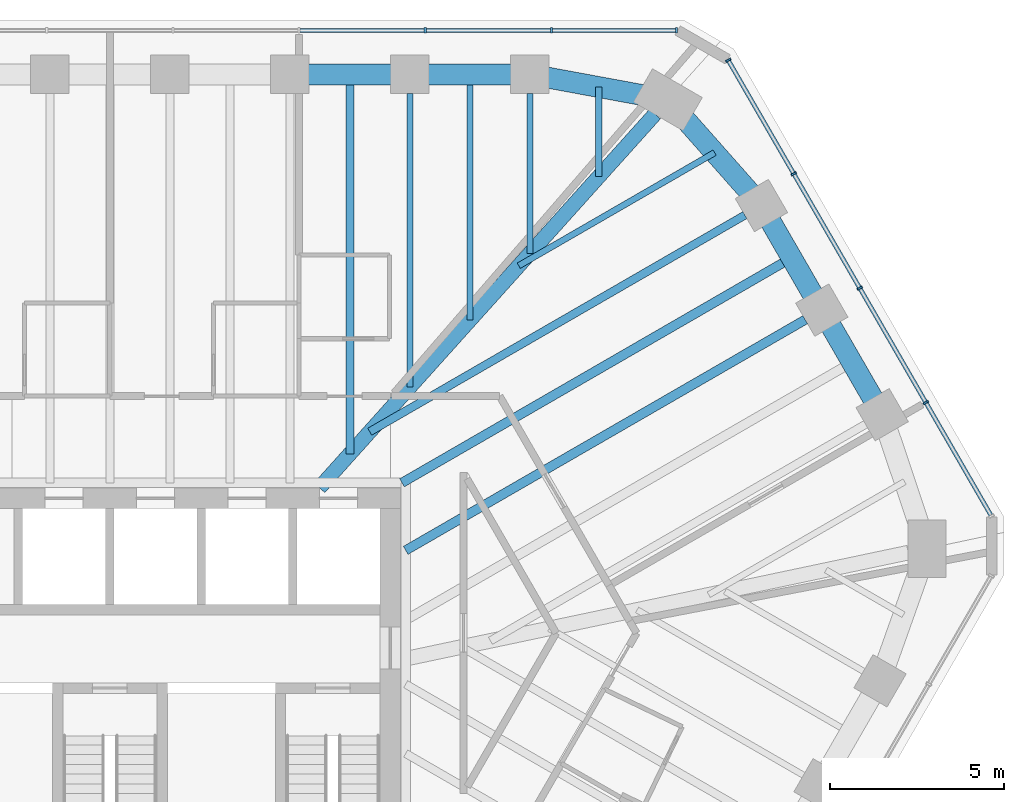
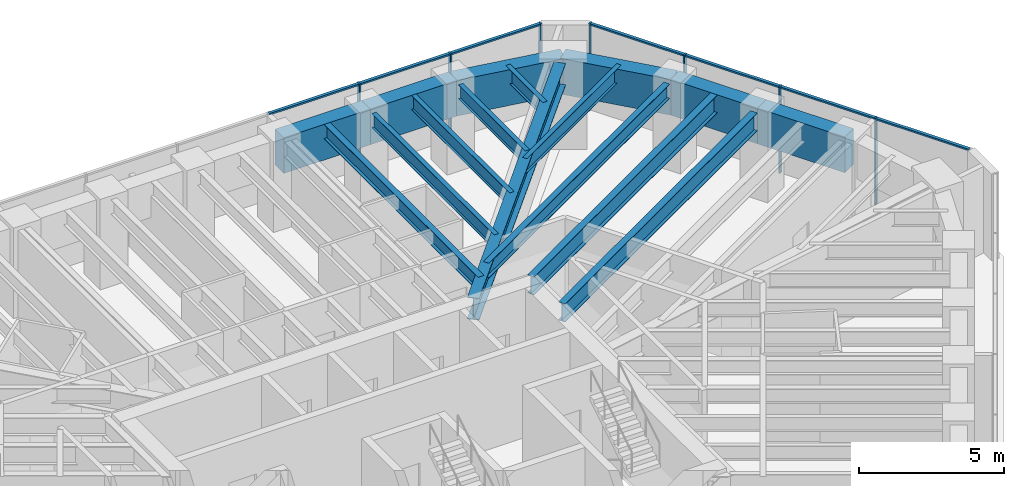
# One storey, part 7 of 14: 16 beams, 14 members, 2 elements without a shape of their own.
"""IFC4 building model written with IfcOpenShell, lengths in metres."""

from ifc_helpers import new_model, si_unit, direction, frame, origin, origin_2d, place, context, subcontext, project, spatial, rectangle, i_section, extrude, material, material_profile, profile_set, type_object, element, aggregate, save


model = new_model("IFC4")

# Units and contexts
model_context = context("Model", 3, precision=1e-05, world=origin(), true_north=direction((0.0, 1.0)))
body_context = subcontext(model_context, "Body", "Model", "MODEL_VIEW")
ifc_project = project(units=[si_unit("LENGTHUNIT", "METRE"), si_unit("AREAUNIT", "SQUARE_METRE"), si_unit("VOLUMEUNIT", "CUBIC_METRE"), si_unit("PLANEANGLEUNIT", "RADIAN"), si_unit("MASSUNIT", "GRAM", prefix="KILO")], contexts=[model_context])

# Site, building, storey
site_placement = place(None, origin())
site = spatial("IfcSite", under=ifc_project, at=site_placement, CompositionType="ELEMENT")
building_placement = place(site_placement, origin())
building = spatial("IfcBuilding", under=site, at=building_placement, Name="Sandreach Pilgrim Tower", CompositionType="ELEMENT")
storey_placement = place(building_placement, frame((0.0, 0.0, 291.199951171875)))
storey = spatial("IfcBuildingStorey", under=building, at=storey_placement, Name="L73", CompositionType="ELEMENT", Elevation=291.199951171875)

# Curtain wall, members
ifc_material_1 = material(Name="Aluminium framed curtain wall", Category="aluminium")
curtain_wall_type = type_object("IfcCurtainWallType", Name="Suite tower curtain wall", PredefinedType="NOTDEFINED", material=ifc_material_1)
curtain_wall_1_placement = place(storey_placement, origin())
curtain_wall_1 = element("IfcCurtainWall", 1, at=curtain_wall_1_placement, inside=storey, type_object=curtain_wall_type, Name="CW-4 L73 N", PredefinedType="NOTDEFINED")
ifc_material_2 = material(Name="Aluminium extrusion", Category="aluminium")
ifc_material_profile_1 = material_profile(ifc_material_2, rectangle(XDim=0.06005859375, YDim=0.159912109375, at=origin_2d()), Name="CW-4M 60X160")
ifc_profile_set_1 = profile_set([ifc_material_profile_1], Name="Aluminium extrusion")
member_type_1 = type_object("IfcMemberType", Name="CW-4 mullion", PredefinedType="MULLION", material=ifc_profile_set_1)
member_1_placement = place(storey_placement, frame((9.0546875, 19.826416015625, 0.0), z_axis=(0.0, 0.0, 1.0), x_axis=(1.0, 0.0, 0.0)))
member_1 = element("IfcMember", 2, at=member_1_placement, type_object=member_type_1, Name="CW-4 mullion 8", PredefinedType="MULLION", context=body_context, shape_type="SweptSolid", body=[
    extrude(rectangle(XDim=0.06005859375, YDim=0.159912109375, at=origin_2d()), origin(), (0.0, 0.0, 1.0), 3.64013671875),
])
member_2_placement = place(storey_placement, frame((12.676513671875, 19.826416015625, 0.0), z_axis=(0.0, 0.0, 1.0), x_axis=(1.0, 0.0, 0.0)))
member_2 = element("IfcMember", 3, at=member_2_placement, type_object=member_type_1, Name="CW-4 mullion 9", PredefinedType="MULLION", context=body_context, shape_type="SweptSolid", body=[
    extrude(rectangle(XDim=0.06005859375, YDim=0.159912109375, at=origin_2d()), origin(), (0.0, 0.0, 1.0), 3.64013671875),
])
member_3_placement = place(storey_placement, frame((16.268310546875, 19.826416015625, 0.0), z_axis=(0.0, 0.0, 1.0), x_axis=(1.0, 0.0, 0.0)))
member_3 = element("IfcMember", 4, at=member_3_placement, type_object=member_type_1, Name="CW-4 mullion 10", PredefinedType="MULLION", context=body_context, shape_type="SweptSolid", body=[
    extrude(rectangle(XDim=0.06005859375, YDim=0.159912109375, at=origin_2d()), origin(), (0.0, 0.0, 1.0), 3.64013671875),
])

curtain_wall_2_placement = place(storey_placement, origin())
curtain_wall_2 = element("IfcCurtainWall", 5, at=curtain_wall_2_placement, inside=storey, type_object=curtain_wall_type, Name="CW-4 L73 NE", PredefinedType="NOTDEFINED")
member_4_placement = place(storey_placement, frame((17.7509765625, 18.970458984375, 0.0), z_axis=(0.0, 0.0, 1.0), x_axis=(0.5, -0.866025403784, 0.0)))
member_4 = element("IfcMember", 6, at=member_4_placement, type_object=member_type_1, Name="CW-4 mullion 1", PredefinedType="MULLION", context=body_context, shape_type="SweptSolid", body=[
    extrude(rectangle(XDim=0.06005859375, YDim=0.159912109375, at=origin_2d()), origin(), (0.0, 0.0, 1.0), 3.64013671875),
])
member_5_placement = place(storey_placement, frame((19.6318359375, 15.712646484375, 0.0), z_axis=(0.0, 0.0, 1.0), x_axis=(0.5, -0.866025403784, 0.0)))
member_5 = element("IfcMember", 7, at=member_5_placement, type_object=member_type_1, Name="CW-4 mullion 2", PredefinedType="MULLION", context=body_context, shape_type="SweptSolid", body=[
    extrude(rectangle(XDim=0.06005859375, YDim=0.159912109375, at=origin_2d()), origin(), (0.0, 0.0, 1.0), 3.64013671875),
])
member_6_placement = place(storey_placement, frame((21.527587890625, 12.428955078125, 0.0), z_axis=(0.0, 0.0, 1.0), x_axis=(0.5, -0.866025403784, 0.0)))
member_6 = element("IfcMember", 8, at=member_6_placement, type_object=member_type_1, Name="CW-4 mullion 3", PredefinedType="MULLION", context=body_context, shape_type="SweptSolid", body=[
    extrude(rectangle(XDim=0.06005859375, YDim=0.159912109375, at=origin_2d()), origin(), (0.0, 0.0, 1.0), 3.64013671875),
])
member_7_placement = place(storey_placement, frame((23.423583984375, 9.145263671875, 0.0), z_axis=(0.0, 0.0, 1.0), x_axis=(0.5, -0.866025403784, 0.0)))
member_7 = element("IfcMember", 9, at=member_7_placement, type_object=member_type_1, Name="CW-4 mullion 4", PredefinedType="MULLION", context=body_context, shape_type="SweptSolid", body=[
    extrude(rectangle(XDim=0.06005859375, YDim=0.159912109375, at=origin_2d()), origin(), (0.0, 0.0, 1.0), 3.64013671875),
])

# Member
ifc_material_3 = material(Name="Aluminium extrusion", Category="aluminium")
ifc_material_profile_2 = material_profile(ifc_material_3, rectangle(XDim=0.1201171875, YDim=0.070068359375, at=origin_2d()), Name="CW-4T 120X70")
ifc_profile_set_2 = profile_set([ifc_material_profile_2], Name="Aluminium extrusion")
member_type_2 = type_object("IfcMemberType", Name="CW-4 transom", PredefinedType="USERDEFINED", material=ifc_profile_set_2)
member_8_placement = place(storey_placement, frame((5.462890625, 19.826416015625, 3.60498046875), z_axis=(1.0, 0.0, 0.0), x_axis=(0.0, 1.0, 0.0)))
member_8 = element("IfcMember", 10, at=member_8_placement, type_object=member_type_2, Name="CW-4 head transom 7", ObjectType="TRANSOM", PredefinedType="USERDEFINED", context=body_context, shape_type="SweptSolid", body=[
    extrude(rectangle(XDim=0.1201171875, YDim=0.070068359375, at=origin_2d()), origin(), (0.0, 0.0, 1.0), 3.561767578125),
])

member_9_placement = place(storey_placement, frame((9.084716796875, 19.826416015625, 3.60498046875), z_axis=(1.0, 0.0, 0.0), x_axis=(0.0, 1.0, 0.0)))
member_9 = element("IfcMember", 11, at=member_9_placement, type_object=member_type_2, Name="CW-4 head transom 8", ObjectType="TRANSOM", PredefinedType="USERDEFINED", context=body_context, shape_type="SweptSolid", body=[
    extrude(rectangle(XDim=0.1201171875, YDim=0.070068359375, at=origin_2d()), origin(), (0.0, 0.0, 1.0), 3.561767578125),
])

member_10_placement = place(storey_placement, frame((12.70654296875, 19.826416015625, 3.60498046875), z_axis=(1.0, 0.0, 0.0), x_axis=(0.0, 1.0, 0.0)))
member_10 = element("IfcMember", 12, at=member_10_placement, type_object=member_type_2, Name="CW-4 head transom 9", ObjectType="TRANSOM", PredefinedType="USERDEFINED", context=body_context, shape_type="SweptSolid", body=[
    extrude(rectangle(XDim=0.1201171875, YDim=0.070068359375, at=origin_2d()), origin(), (0.0, 0.0, 1.0), 3.53173828125),
])

aggregate(curtain_wall_1, [member_1, member_2, member_3, member_8, member_9, member_10])

member_11_placement = place(storey_placement, frame((17.76611328125, 18.944580078125, 3.60498046875), z_axis=(0.499990780478, -0.866030726613, 0.0), x_axis=(0.866030726613, 0.499990780478, 0.0)))
member_11 = element("IfcMember", 13, at=member_11_placement, type_object=member_type_2, Name="CW-4 head transom 1", ObjectType="TRANSOM", PredefinedType="USERDEFINED", context=body_context, shape_type="SweptSolid", body=[
    extrude(rectangle(XDim=0.1201171875, YDim=0.070068359375, at=origin_2d()), origin(), (0.0, 0.0, 1.0), 3.70166015625),
])

member_12_placement = place(storey_placement, frame((19.646728515625, 15.686767578125, 3.60498046875), z_axis=(0.500030151002, -0.866007995396, 0.0), x_axis=(0.866007995396, 0.500030151002, 0.0)))
member_12 = element("IfcMember", 14, at=member_12_placement, type_object=member_type_2, Name="CW-4 head transom 2", ObjectType="TRANSOM", PredefinedType="USERDEFINED", context=body_context, shape_type="SweptSolid", body=[
    extrude(rectangle(XDim=0.1201171875, YDim=0.070068359375, at=origin_2d()), origin(), (0.0, 0.0, 1.0), 3.731689453125),
])

member_13_placement = place(storey_placement, frame((21.542724609375, 12.403076171875, 3.60498046875), z_axis=(0.499981083104, -0.866036325184, 0.0), x_axis=(0.866036325184, 0.499981083104, 0.0)))
member_13 = element("IfcMember", 15, at=member_13_placement, type_object=member_type_2, Name="CW-4 head transom 3", ObjectType="TRANSOM", PredefinedType="USERDEFINED", context=body_context, shape_type="SweptSolid", body=[
    extrude(rectangle(XDim=0.1201171875, YDim=0.070068359375, at=origin_2d()), origin(), (0.0, 0.0, 1.0), 3.731689453125),
])

member_14_placement = place(storey_placement, frame((23.4384765625, 9.119384765625, 3.60498046875), z_axis=(0.499990780478, -0.866030726613, 0.0), x_axis=(0.866030726613, 0.499990780478, 0.0)))
member_14 = element("IfcMember", 16, at=member_14_placement, type_object=member_type_2, Name="CW-4 head transom 4", ObjectType="TRANSOM", PredefinedType="USERDEFINED", context=body_context, shape_type="SweptSolid", body=[
    extrude(rectangle(XDim=0.1201171875, YDim=0.070068359375, at=origin_2d()), origin(), (0.0, 0.0, 1.0), 3.70166015625),
])

aggregate(curtain_wall_2, [member_4, member_5, member_6, member_7, member_11, member_12, member_13, member_14])

# Beams
ifc_material_4 = material(Name="Steel ASTM A992 Grade 50", Category="steel")
ifc_material_profile_3 = material_profile(ifc_material_4, i_section(OverallWidth=0.419189453125, OverallDepth=0.927001953125, WebThickness=0.019287109375, FlangeThickness=0.031982421875, at=origin_2d()), Name="W36X231")
ifc_profile_set_3 = profile_set([ifc_material_profile_3], Name="Steel ASTM A992 Grade 50")
beam_type_1 = type_object("IfcBeamType", Name="Corner girder W36X231", PredefinedType="BEAM", material=ifc_profile_set_3)
beam_1_placement = place(storey_placement, frame((15.649169921875, 17.427978515625, 3.176513671875), z_axis=(-0.668114851597, -0.74405815974, 0.0), x_axis=(0.74405815974, -0.668114851597, 0.0)))
element("IfcBeam", 17, at=beam_1_placement, inside=storey, type_object=beam_type_1, Name="BM L73 CG09", PredefinedType="BEAM", context=body_context, shape_type="SweptSolid", body=[
    extrude(i_section(OverallWidth=0.419189453125, OverallDepth=0.927001953125, WebThickness=0.019287109375, FlangeThickness=0.031982421875, at=origin_2d()), origin(), (0.0, 0.0, 1.0), 14.418212890625),
])
ifc_material_5 = material(Name="Steel ASTM A992 Grade 50", Category="steel")
ifc_material_profile_4 = material_profile(ifc_material_5, i_section(OverallWidth=0.1787109375, OverallDepth=0.60205078125, WebThickness=0.010986328125, FlangeThickness=0.014892578125, at=origin_2d()), Name="W24X62")
ifc_profile_set_4 = profile_set([ifc_material_profile_4], Name="Steel ASTM A992 Grade 50")
beam_type_2 = type_object("IfcBeamType", Name="Floor beam W24X62", PredefinedType="BEAM", material=ifc_profile_set_4)
beam_2_placement = place(storey_placement, frame((8.612548828125, 18.016357421875, 3.339111328125), z_axis=(0.0, -1.0, 0.0), x_axis=(1.0, 0.0, 0.0)))
element("IfcBeam", 18, at=beam_2_placement, inside=storey, type_object=beam_type_2, Name="BM L73 F07", PredefinedType="BEAM", context=body_context, shape_type="SweptSolid", body=[
    extrude(i_section(OverallWidth=0.1787109375, OverallDepth=0.60205078125, WebThickness=0.010986328125, FlangeThickness=0.014892578125, at=origin_2d()), origin(), (0.0, 0.0, 1.0), 8.4248046875),
])
beam_3_placement = place(storey_placement, frame((12.0576171875, 18.016357421875, 3.339111328125), z_axis=(0.0, -1.0, 0.0), x_axis=(1.0, 0.0, 0.0)))
element("IfcBeam", 19, at=beam_3_placement, inside=storey, type_object=beam_type_2, Name="BM L73 F08", PredefinedType="BEAM", context=body_context, shape_type="SweptSolid", body=[
    extrude(i_section(OverallWidth=0.1787109375, OverallDepth=0.60205078125, WebThickness=0.010986328125, FlangeThickness=0.014892578125, at=origin_2d()), origin(), (0.0, 0.0, 1.0), 4.58837890625),
])
beam_4_placement = place(storey_placement, frame((10.3349609375, 18.56640625, 3.339111328125), z_axis=(0.0, -1.0, 0.0), x_axis=(1.0, 0.0, 0.0)))
element("IfcBeam", 20, at=beam_4_placement, inside=storey, type_object=beam_type_2, Name="BM L73 FM07", PredefinedType="BEAM", context=body_context, shape_type="SweptSolid", body=[
    extrude(i_section(OverallWidth=0.1787109375, OverallDepth=0.60205078125, WebThickness=0.010986328125, FlangeThickness=0.014892578125, at=origin_2d()), origin(), (0.0, 0.0, 1.0), 7.056640625),
])
beam_5_placement = place(storey_placement, frame((14.037109375, 18.201904296875, 3.339111328125), z_axis=(0.0, -1.0, 0.0), x_axis=(1.0, 0.0, 0.0)))
element("IfcBeam", 21, at=beam_5_placement, inside=storey, type_object=beam_type_2, Name="BM L73 FM08", PredefinedType="BEAM", context=body_context, shape_type="SweptSolid", body=[
    extrude(i_section(OverallWidth=0.1787109375, OverallDepth=0.60205078125, WebThickness=0.010986328125, FlangeThickness=0.014892578125, at=origin_2d()), origin(), (0.0, 0.0, 1.0), 2.5693359375),
])
beam_6_placement = place(storey_placement, frame((17.360107421875, 16.31884765625, 3.339111328125), z_axis=(-0.866023980233, -0.500002465655, 0.0), x_axis=(0.500002465655, -0.866023980233, 0.0)))
element("IfcBeam", 22, at=beam_6_placement, inside=storey, type_object=beam_type_2, Name="BM L73 FM09", PredefinedType="BEAM", context=body_context, shape_type="SweptSolid", body=[
    extrude(i_section(OverallWidth=0.1787109375, OverallDepth=0.60205078125, WebThickness=0.010986328125, FlangeThickness=0.014892578125, at=origin_2d()), origin(), (0.0, 0.0, 1.0), 6.49072265625),
])
ifc_material_6 = material(Name="Steel ASTM A992 Grade 50", Category="steel")
ifc_material_profile_5 = material_profile(ifc_material_6, i_section(OverallWidth=0.23046875, OverallDepth=0.6171875, WebThickness=0.01318359375, FlangeThickness=0.022216796875, at=origin_2d()), Name="W24X94")
ifc_profile_set_5 = profile_set([ifc_material_profile_5], Name="Steel ASTM A992 Grade 50")
beam_type_3 = type_object("IfcBeamType", Name="Floor beam W24X94", PredefinedType="BEAM", material=ifc_profile_set_5)
beam_7_placement = place(storey_placement, frame((18.227294921875, 14.525390625, 3.33154296875), z_axis=(-0.866020427415, -0.500008619226, 0.0), x_axis=(0.500008619226, -0.866020427415, 0.0)))
element("IfcBeam", 23, at=beam_7_placement, inside=storey, type_object=beam_type_3, Name="BM L73 F10", PredefinedType="BEAM", context=body_context, shape_type="SweptSolid", body=[
    extrude(i_section(OverallWidth=0.23046875, OverallDepth=0.6171875, WebThickness=0.01318359375, FlangeThickness=0.022216796875, at=origin_2d()), origin(), (0.0, 0.0, 1.0), 12.431396484375),
])
beam_8_placement = place(storey_placement, frame((6.89013671875, 18.56640625, 3.33154296875), z_axis=(0.0, -1.0, 0.0), x_axis=(1.0, 0.0, 0.0)))
element("IfcBeam", 24, at=beam_8_placement, inside=storey, type_object=beam_type_3, Name="BM L73 FM06", PredefinedType="BEAM", context=body_context, shape_type="SweptSolid", body=[
    extrude(i_section(OverallWidth=0.23046875, OverallDepth=0.6171875, WebThickness=0.01318359375, FlangeThickness=0.022216796875, at=origin_2d()), origin(), (0.0, 0.0, 1.0), 10.893310546875),
])
ifc_material_7 = material(Name="Steel ASTM A992 Grade 50", Category="steel")
ifc_material_profile_6 = material_profile(ifc_material_7, i_section(OverallWidth=0.2666015625, OverallDepth=0.761962890625, WebThickness=0.014404296875, FlangeThickness=0.021484375, at=origin_2d()), Name="W30X116")
ifc_profile_set_6 = profile_set([ifc_material_profile_6], Name="Steel ASTM A992 Grade 50")
beam_type_4 = type_object("IfcBeamType", Name="Floor beam W30X116", PredefinedType="BEAM", material=ifc_profile_set_6)
beam_9_placement = place(storey_placement, frame((19.960205078125, 11.52392578125, 3.259033203125), z_axis=(-0.86602530353, -0.500000173646, 0.0), x_axis=(0.500000173646, -0.86602530353, 0.0)))
element("IfcBeam", 25, at=beam_9_placement, inside=storey, type_object=beam_type_4, Name="BM L73 F11", PredefinedType="BEAM", context=body_context, shape_type="SweptSolid", body=[
    extrude(i_section(OverallWidth=0.2666015625, OverallDepth=0.761962890625, WebThickness=0.014404296875, FlangeThickness=0.021484375, at=origin_2d()), origin(), (0.0, 0.0, 1.0), 13.24072265625),
])
beam_10_placement = place(storey_placement, frame((19.570068359375, 13.299560546875, 3.259033203125), z_axis=(-0.866025008595, -0.500000684488, 0.0), x_axis=(0.500000684488, -0.866025008595, 0.0)))
element("IfcBeam", 26, at=beam_10_placement, inside=storey, type_object=beam_type_4, Name="BM L73 FM10", PredefinedType="BEAM", context=body_context, shape_type="SweptSolid", body=[
    extrude(i_section(OverallWidth=0.2666015625, OverallDepth=0.761962890625, WebThickness=0.014404296875, FlangeThickness=0.021484375, at=origin_2d()), origin(), (0.0, 0.0, 1.0), 12.91259765625),
])
ifc_material_8 = material(Name="Concrete 10000 psi", Category="concrete")
ifc_material_profile_7 = material_profile(ifc_material_8, rectangle(XDim=0.60009765625, YDim=1.5, at=origin_2d()), Name="RC600X1500")
ifc_profile_set_7 = profile_set([ifc_material_profile_7], Name="Concrete 10000 psi")
beam_type_5 = type_object("IfcBeamType", Name="Spandrel beam RC600X1500", PredefinedType="SPANDREL", material=ifc_profile_set_7)
for number, where, z_axis, x_axis, name in (
    (27, (5.16748046875, 18.56640625, 2.89013671875), (1.0, 0.0, 0.0), (0.0, 1.0, 0.0), "BM L73 SP06"),
    (28, (8.612548828125, 18.56640625, 2.89013671875), (1.0, 0.0, 0.0), (0.0, 1.0, 0.0), "BM L73 SP07"),
):
    element("IfcBeam", number, at=place(storey_placement, frame(where, z_axis=z_axis, x_axis=x_axis)), inside=storey, type_object=beam_type_5, Name=name, PredefinedType="SPANDREL", context=body_context, shape_type="SweptSolid", body=[
        extrude(rectangle(XDim=0.60009765625, YDim=1.5, at=origin_2d()), origin(), (0.0, 0.0, 1.0), 3.445068359375),
    ])
beam_11_placement = place(storey_placement, frame((12.0576171875, 18.56640625, 2.89013671875), z_axis=(0.983454894629, -0.181153167875, 0.0), x_axis=(0.181153167875, 0.983454894629, 0.0)))
element("IfcBeam", 29, at=beam_11_placement, inside=storey, type_object=beam_type_5, Name="BM L73 SP08", PredefinedType="SPANDREL", context=body_context, shape_type="SweptSolid", body=[
    extrude(rectangle(XDim=0.60009765625, YDim=1.5, at=origin_2d()), origin(), (0.0, 0.0, 1.0), 4.025634765625),
])
beam_12_placement = place(storey_placement, frame((16.0166015625, 17.837158203125, 2.89013671875), z_axis=(0.662650525414, -0.748928755736, 0.0), x_axis=(0.748928755736, 0.662650525414, 0.0)))
element("IfcBeam", 30, at=beam_12_placement, inside=storey, type_object=beam_type_5, Name="BM L73 SP09", PredefinedType="SPANDREL", context=body_context, shape_type="SweptSolid", body=[
    extrude(rectangle(XDim=0.60009765625, YDim=1.5, at=origin_2d()), origin(), (0.0, 0.0, 1.0), 4.054931640625),
])
for number, where, z_axis, x_axis, name in (
    (31, (18.70361328125, 14.80029296875, 2.89013671875), (0.500033451825, -0.866006089503, 0.0), (0.866006089503, 0.500033451825, 0.0), "BM L73 SP10"),
    (32, (20.4365234375, 11.799072265625, 2.89013671875), (0.499980616072, -0.866036594811, 0.0), (0.866036594811, 0.499980616072, 0.0), "BM L73 SP11"),
):
    element("IfcBeam", number, at=place(storey_placement, frame(where, z_axis=z_axis, x_axis=x_axis)), inside=storey, type_object=beam_type_5, Name=name, PredefinedType="SPANDREL", context=body_context, shape_type="SweptSolid", body=[
        extrude(rectangle(XDim=0.60009765625, YDim=1.5, at=origin_2d()), origin(), (0.0, 0.0, 1.0), 3.465576171875),
    ])

save(model, "model.ifc")
